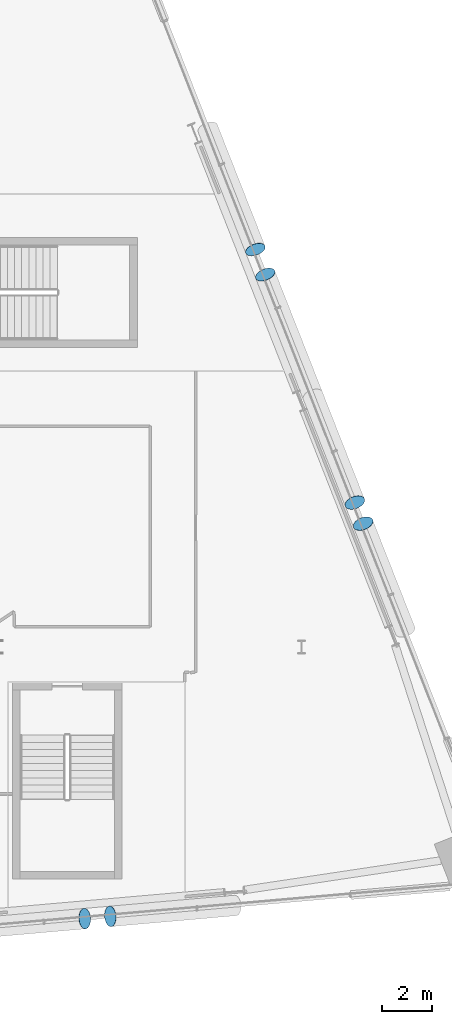
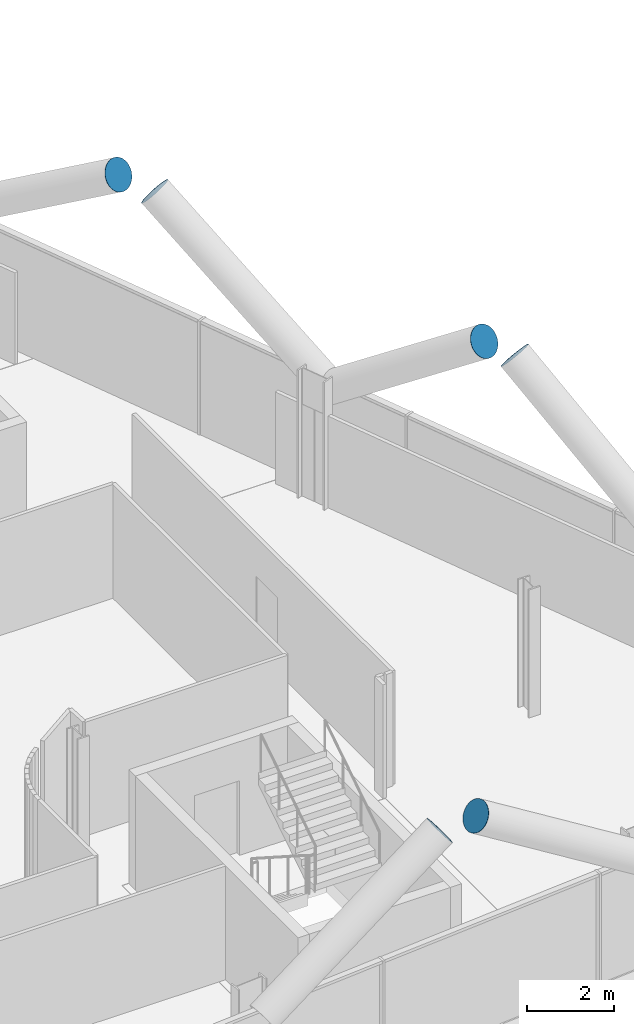
# One storey, part 26 of 30: 6 discrete accessories.
"""IFC4 building model written with IfcOpenShell, lengths in metres."""

from ifc_helpers import new_model, si_unit, direction, frame, origin, origin_2d, place, context, subcontext, project, spatial, circle, extrude, material, material_profile, profile_set, type_object, element, save


model = new_model("IFC4")

# Units and contexts
model_context = context("Model", 3, precision=1e-05, world=origin(), true_north=direction((0.0, 1.0)))
body_context = subcontext(model_context, "Body", "Model", "MODEL_VIEW")
ifc_project = project(units=[si_unit("LENGTHUNIT", "METRE"), si_unit("AREAUNIT", "SQUARE_METRE"), si_unit("VOLUMEUNIT", "CUBIC_METRE"), si_unit("PLANEANGLEUNIT", "RADIAN"), si_unit("MASSUNIT", "GRAM", prefix="KILO")], contexts=[model_context])

# Site, building, storey
site_placement = place(None, origin())
site = spatial("IfcSite", under=ifc_project, at=site_placement, CompositionType="ELEMENT")
building_placement = place(site_placement, origin())
building = spatial("IfcBuilding", under=site, at=building_placement, Name="Wharfspan Tower", CompositionType="ELEMENT")
storey_placement = place(building_placement, frame((0.0, 0.0, 107.5)))
storey = spatial("IfcBuildingStorey", under=building, at=storey_placement, Name="L24", CompositionType="ELEMENT", Elevation=107.5)

# Discrete accessories
ifc_material = material(Name="Steel S460NH", Category="steel")
ifc_material_profile = material_profile(ifc_material, circle(Radius=0.406494, at=origin_2d()))
ifc_profile_set = profile_set([ifc_material_profile], Name="Steel S460NH")
discrete_accessory_type = type_object("IfcDiscreteAccessoryType", Name="End plate CHS 813x40", PredefinedType="BRACKET", material=ifc_profile_set)
discrete_accessory_1_placement = place(storey_placement, frame((75.401855, 0.73291, 6.162109), z_axis=(0.827302, 0.048665, 0.559645), x_axis=(-0.058723, 0.998276, 1e-06)))
element("IfcDiscreteAccessory", 1, at=discrete_accessory_1_placement, inside=storey, type_object=discrete_accessory_type, Name="End plate CHS 813x40", PredefinedType="BRACKET", context=body_context, shape_type="SweptSolid", body=[
    extrude(circle(Radius=0.406494, at=origin_2d()), origin(), (0.0, 0.0, 1.0), 0.01001),
])
discrete_accessory_2_placement = place(storey_placement, frame((76.427002, 0.82251, 6.162109), z_axis=(-0.83357, -0.071449, 0.547774), x_axis=(0.085401, -0.996343, 0.0)))
element("IfcDiscreteAccessory", 2, at=discrete_accessory_2_placement, inside=storey, type_object=discrete_accessory_type, Name="End plate CHS 813x40", PredefinedType="BRACKET", context=body_context, shape_type="SweptSolid", body=[
    extrude(circle(Radius=0.406494, at=origin_2d()), origin(), (0.0, 0.0, 1.0), 0.010254),
])
for number, where, z_axis, x_axis, name in (
    (3, (82.563477, 26.251709, 6.158447), (-0.317451, 0.781418, 0.537225), (-0.92647, -0.376377, -2e-06), "End plate CHS 813x40"),
    (4, (82.168213, 27.257812, 6.158447), (0.289598, -0.796395, 0.53093), (0.939792, 0.341743, 1e-06), "End plate CHS 813x40"),
    (5, (86.442627, 16.381348, 6.172119), (-0.292683, 0.756098, 0.585366), (-0.932565, -0.360992, -1e-06), "End plate CHS 813x40"),
    (6, (86.109863, 17.228027, 6.172119), (0.292683, -0.756098, 0.585366), (0.932565, 0.360992, -1e-06), "End plate CHS 813x40"),
):
    element("IfcDiscreteAccessory", number, at=place(storey_placement, frame(where, z_axis=z_axis, x_axis=x_axis)), inside=storey, type_object=discrete_accessory_type, Name=name, PredefinedType="BRACKET", context=body_context, shape_type="SweptSolid", body=[
        extrude(circle(Radius=0.406494, at=origin_2d()), origin(), (0.0, 0.0, 1.0), 0.01001),
    ])

save(model, "model.ifc")
